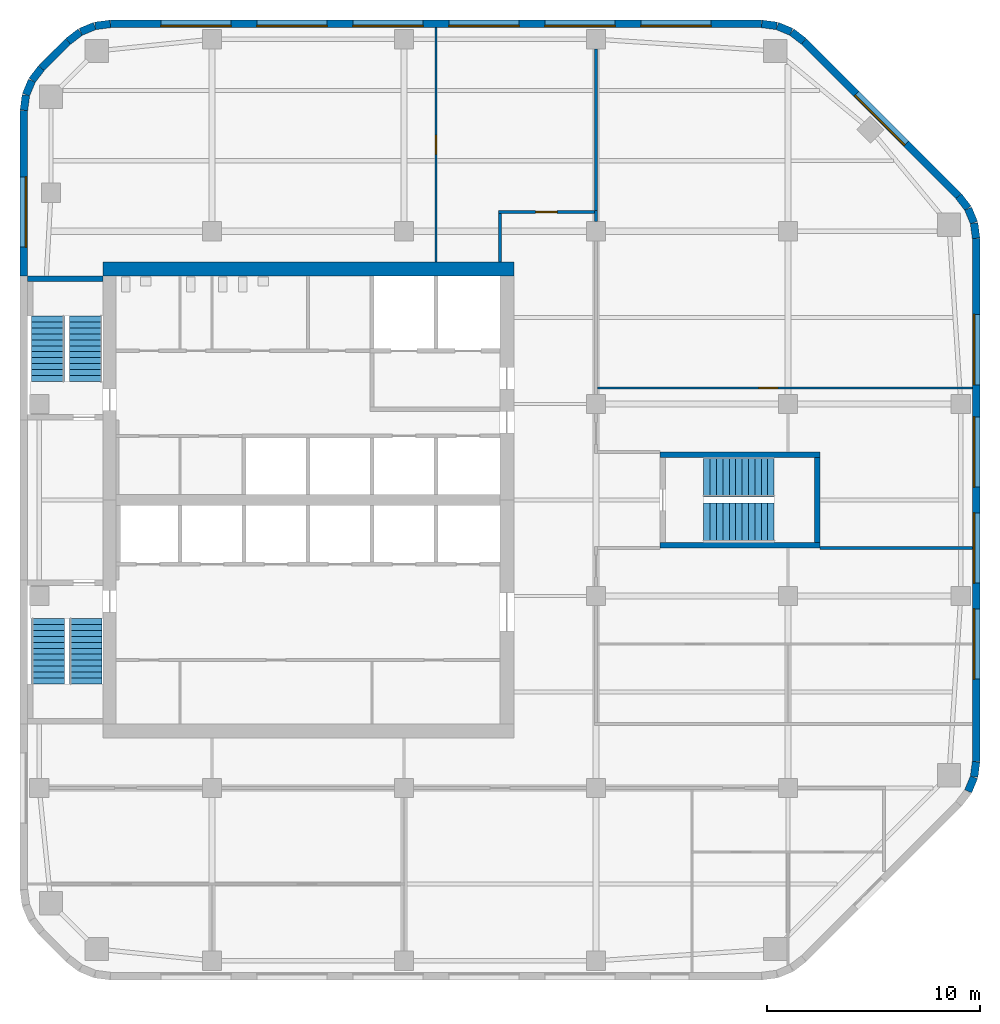
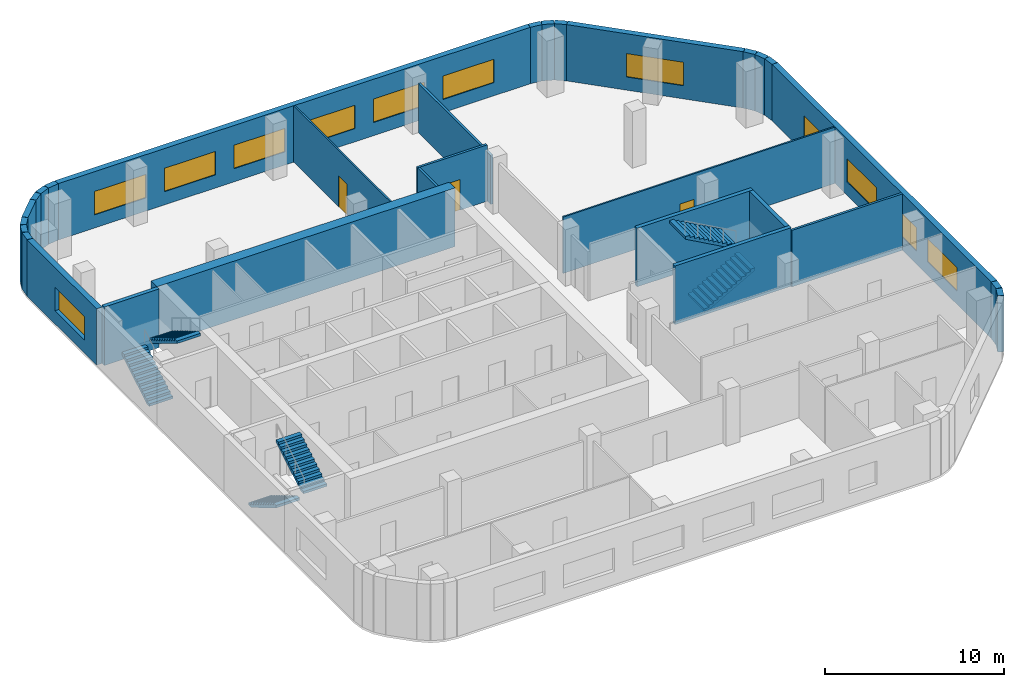
# One storey, part 5 of 7: 31 walls, 12 windows, 6 stair flights, 3 doors, 15 openings, 3 elements without a shape of their own.
"""IFC4 building model written with IfcOpenShell, lengths in metres."""

from ifc_helpers import new_model, si_unit, direction, frame, frame_2d, origin, place, context, subcontext, project, spatial, polyline, rectangle, outline, extrude, material, layer, layer_set, type_object, element, fill, aggregate, save


model = new_model("IFC4")

# Units and contexts
model_context = context("Model", 3, precision=1e-05, world=origin(), true_north=direction((0.0, 1.0)))
body_context = subcontext(model_context, "Body", "Model", "MODEL_VIEW")
ifc_project = project(units=[si_unit("LENGTHUNIT", "METRE"), si_unit("AREAUNIT", "SQUARE_METRE"), si_unit("VOLUMEUNIT", "CUBIC_METRE"), si_unit("PLANEANGLEUNIT", "RADIAN"), si_unit("MASSUNIT", "GRAM", prefix="KILO")], contexts=[model_context])

# Site, building, storey
site_placement = place(None, origin())
site = spatial("IfcSite", under=ifc_project, at=site_placement, CompositionType="ELEMENT")
building_placement = place(site_placement, origin())
building = spatial("IfcBuilding", under=site, at=building_placement, Name="Cinnabar Reach Civic Tower", CompositionType="ELEMENT")
storey_placement = place(building_placement, frame((0.0, 0.0, 173.0)))
storey = spatial("IfcBuildingStorey", under=building, at=storey_placement, Name="L41", CompositionType="ELEMENT", Elevation=173.0)

# Walls
ifc_material_1 = material(Name="Facing brick with insulated backing", Category="masonry")
ifc_layer_1 = layer(ifc_material_1, 0.36)
ifc_layer_set_1 = layer_set([ifc_layer_1], Name="Brick corner wall")
wall_type_1 = type_object("IfcWallType", Name="Brick corner wall", PredefinedType="STANDARD", material=ifc_layer_set_1)
for number, where, z_axis, x_axis, name in (
    (1, (44.4452, 17.8439, 0.0), (0.0, 0.0, 1.0), (0.382702709855, 0.923871547278, 0.0), "Brick corner wall"),
    (2, (44.7239, 18.5244, 0.0), (0.0, 0.0, 1.0), (0.13055608231, 0.99144092581, 0.0), "Brick corner wall"),
    (3, (44.817, 43.7686, 0.0), (0.0, 0.0, 1.0), (-0.13055608231, 0.99144092581, 0.0), "Brick corner wall"),
    (4, (44.7181, 44.4973, 0.0), (0.0, 0.0, 1.0), (-0.382702709855, 0.923871547278, 0.0), "Brick corner wall"),
):
    element("IfcWall", number, at=place(storey_placement, frame(where, z_axis=z_axis, x_axis=x_axis)), inside=storey, type_object=wall_type_1, Name=name, PredefinedType="STANDARD", context=body_context, shape_type="SweptSolid", body=[
        extrude(rectangle(XDim=0.7131, YDim=0.36, at=frame_2d((0.3565, 0.0))), origin(), (0.0, 0.0, 1.0), 3.85),
    ])
for number, where, z_axis, x_axis, name in (
    (5, (44.434, 45.1755, 0.0), (0.0, 0.0, 1.0), (-0.608802368033, 0.793321924995, 0.0), "Brick corner wall"),
    (6, (36.7413, 52.9998, 0.0), (0.0, 0.0, 1.0), (-0.793321924995, 0.608802368033, 0.0), "Brick corner wall"),
):
    element("IfcWall", number, at=place(storey_placement, frame(where, z_axis=z_axis, x_axis=x_axis)), inside=storey, type_object=wall_type_1, Name=name, PredefinedType="STANDARD", context=body_context, shape_type="SweptSolid", body=[
        extrude(rectangle(XDim=0.7132, YDim=0.36, at=frame_2d((0.3566, 0.0))), origin(), (0.0, 0.0, 1.0), 3.85),
    ])
for number, where, z_axis, x_axis, name in (
    (7, (36.1561, 53.4452, 0.0), (0.0, 0.0, 1.0), (-0.923871547278, 0.382702709855, 0.0), "Brick corner wall"),
    (8, (35.4756, 53.7239, 0.0), (0.0, 0.0, 1.0), (-0.99144092581, 0.13055608231, 0.0), "Brick corner wall"),
    (9, (4.2314, 53.817, 0.0), (0.0, 0.0, 1.0), (-0.99144092581, -0.13055608231, 0.0), "Brick corner wall"),
    (10, (3.5027, 53.7181, 0.0), (0.0, 0.0, 1.0), (-0.923871547278, -0.382702709855, 0.0), "Brick corner wall"),
):
    element("IfcWall", number, at=place(storey_placement, frame(where, z_axis=z_axis, x_axis=x_axis)), inside=storey, type_object=wall_type_1, Name=name, PredefinedType="STANDARD", context=body_context, shape_type="SweptSolid", body=[
        extrude(rectangle(XDim=0.7131, YDim=0.36, at=frame_2d((0.3565, 0.0))), origin(), (0.0, 0.0, 1.0), 3.85),
    ])
for number, where, z_axis, x_axis, name in (
    (11, (2.8245, 53.434, 0.0), (0.0, 0.0, 1.0), (-0.793321924995, -0.608802368033, 0.0), "Brick corner wall"),
    (12, (1.0002, 51.7413, 0.0), (0.0, 0.0, 1.0), (-0.608802368033, -0.793321924995, 0.0), "Brick corner wall"),
):
    element("IfcWall", number, at=place(storey_placement, frame(where, z_axis=z_axis, x_axis=x_axis)), inside=storey, type_object=wall_type_1, Name=name, PredefinedType="STANDARD", context=body_context, shape_type="SweptSolid", body=[
        extrude(rectangle(XDim=0.7132, YDim=0.36, at=frame_2d((0.3566, 0.0))), origin(), (0.0, 0.0, 1.0), 3.85),
    ])
for number, where, z_axis, x_axis, name in (
    (13, (0.5548, 51.1561, 0.0), (0.0, 0.0, 1.0), (-0.382702709855, -0.923871547278, 0.0), "Brick corner wall"),
    (14, (0.2761, 50.4756, 0.0), (0.0, 0.0, 1.0), (-0.13055608231, -0.99144092581, 0.0), "Brick corner wall"),
):
    element("IfcWall", number, at=place(storey_placement, frame(where, z_axis=z_axis, x_axis=x_axis)), inside=storey, type_object=wall_type_1, Name=name, PredefinedType="STANDARD", context=body_context, shape_type="SweptSolid", body=[
        extrude(rectangle(XDim=0.7131, YDim=0.36, at=frame_2d((0.3565, 0.0))), origin(), (0.0, 0.0, 1.0), 3.85),
    ])

# Wall, openings, windows
ifc_layer_2 = layer(ifc_material_1, 0.36)
ifc_layer_set_2 = layer_set([ifc_layer_2], Name="Brick pier and spandrel wall")
wall_type_2 = type_object("IfcWallType", Name="Brick pier and spandrel wall", PredefinedType="STANDARD", material=ifc_layer_set_2)
wall_1_placement = place(storey_placement, frame((44.82, 19.2426, 0.0), z_axis=(0.0, 0.0, 1.0), x_axis=(0.0, 1.0, 0.0)))
wall_1 = element("IfcWall", 15, at=wall_1_placement, inside=storey, type_object=wall_type_2, Name="Brick facade wall", PredefinedType="STANDARD", context=body_context, shape_type="SweptSolid", body=[
    extrude(rectangle(XDim=24.5148, YDim=0.36, at=frame_2d((12.2574, 0.0))), origin(), (0.0, 0.0, 1.0), 3.85),
])
opening_1_placement = place(wall_1_placement, frame((3.8574, 0.0, 0.9)))
opening_1 = element("IfcOpeningElement", 16, at=opening_1_placement, cuts=wall_1, Name="Opening W1848", PredefinedType="OPENING", context=body_context, shape_type="SweptSolid", body=[
    extrude(rectangle(XDim=3.3, YDim=1.6, at=frame_2d((1.65, 0.8))), frame((0.0, 0.19, 0.0), z_axis=(0.0, -1.0, 0.0), x_axis=(1.0, 0.0, 0.0)), (0.0, 0.0, 1.0), 0.38),
])
opening_2_placement = place(wall_1_placement, frame((8.3574, 0.0, 0.9)))
opening_2 = element("IfcOpeningElement", 17, at=opening_2_placement, cuts=wall_1, Name="Opening W1849", PredefinedType="OPENING", context=body_context, shape_type="SweptSolid", body=[
    extrude(rectangle(XDim=3.3, YDim=1.6, at=frame_2d((1.65, 0.8))), frame((0.0, 0.19, 0.0), z_axis=(0.0, -1.0, 0.0), x_axis=(1.0, 0.0, 0.0)), (0.0, 0.0, 1.0), 0.38),
])
opening_3_placement = place(wall_1_placement, frame((12.8574, 0.0, 0.9)))
opening_3 = element("IfcOpeningElement", 18, at=opening_3_placement, cuts=wall_1, Name="Opening W1850", PredefinedType="OPENING", context=body_context, shape_type="SweptSolid", body=[
    extrude(rectangle(XDim=3.3, YDim=1.6, at=frame_2d((1.65, 0.8))), frame((0.0, 0.19, 0.0), z_axis=(0.0, -1.0, 0.0), x_axis=(1.0, 0.0, 0.0)), (0.0, 0.0, 1.0), 0.38),
])
opening_4_placement = place(wall_1_placement, frame((17.6574, 0.0, 0.9)))
opening_4 = element("IfcOpeningElement", 19, at=opening_4_placement, cuts=wall_1, Name="Opening W1851", PredefinedType="OPENING", context=body_context, shape_type="SweptSolid", body=[
    extrude(rectangle(XDim=3.3, YDim=1.6, at=frame_2d((1.65, 0.8))), frame((0.0, 0.19, 0.0), z_axis=(0.0, -1.0, 0.0), x_axis=(1.0, 0.0, 0.0)), (0.0, 0.0, 1.0), 0.38),
])
ifc_material_2 = material(Name="Clear double glazing in aluminium frame", Category="aluminium")
window_type = type_object("IfcWindowType", Name="Deep-set window A", PartitioningType="SINGLE_PANEL", PredefinedType="WINDOW", material=ifc_material_2)
window_1_placement = place(opening_1_placement, origin())
window_1 = element("IfcWindow", 20, at=window_1_placement, inside=storey, type_object=window_type, Name="Window east face", OverallHeight=1.6, OverallWidth=3.3, PartitioningType="SINGLE_PANEL", PredefinedType="WINDOW", context=body_context, shape_type="SweptSolid", body=[
    extrude(rectangle(XDim=3.3, YDim=1.6, at=frame_2d((1.65, 0.8))), frame((0.0, 0.13, 0.0), z_axis=(0.0, -1.0, 0.0), x_axis=(1.0, 0.0, 0.0)), (0.0, 0.0, 1.0), 0.06),
])
fill(opening_1, window_1)
window_2_placement = place(opening_2_placement, origin())
window_2 = element("IfcWindow", 21, at=window_2_placement, inside=storey, type_object=window_type, Name="Window east face", OverallHeight=1.6, OverallWidth=3.3, PartitioningType="SINGLE_PANEL", PredefinedType="WINDOW", context=body_context, shape_type="SweptSolid", body=[
    extrude(rectangle(XDim=3.3, YDim=1.6, at=frame_2d((1.65, 0.8))), frame((0.0, 0.13, 0.0), z_axis=(0.0, -1.0, 0.0), x_axis=(1.0, 0.0, 0.0)), (0.0, 0.0, 1.0), 0.06),
])
fill(opening_2, window_2)
window_3_placement = place(opening_3_placement, origin())
window_3 = element("IfcWindow", 22, at=window_3_placement, inside=storey, type_object=window_type, Name="Window east face", OverallHeight=1.6, OverallWidth=3.3, PartitioningType="SINGLE_PANEL", PredefinedType="WINDOW", context=body_context, shape_type="SweptSolid", body=[
    extrude(rectangle(XDim=3.3, YDim=1.6, at=frame_2d((1.65, 0.8))), frame((0.0, 0.13, 0.0), z_axis=(0.0, -1.0, 0.0), x_axis=(1.0, 0.0, 0.0)), (0.0, 0.0, 1.0), 0.06),
])
fill(opening_3, window_3)
window_4_placement = place(opening_4_placement, origin())
window_4 = element("IfcWindow", 23, at=window_4_placement, inside=storey, type_object=window_type, Name="Window east face", OverallHeight=1.6, OverallWidth=3.3, PartitioningType="SINGLE_PANEL", PredefinedType="WINDOW", context=body_context, shape_type="SweptSolid", body=[
    extrude(rectangle(XDim=3.3, YDim=1.6, at=frame_2d((1.65, 0.8))), frame((0.0, 0.13, 0.0), z_axis=(0.0, -1.0, 0.0), x_axis=(1.0, 0.0, 0.0)), (0.0, 0.0, 1.0), 0.06),
])
fill(opening_4, window_4)

# Wall, opening, window
wall_2_placement = place(storey_placement, frame((43.994, 45.7514, 0.0), z_axis=(0.0, 0.0, 1.0), x_axis=(-0.707106781187, 0.707106781187, 0.0)))
wall_2 = element("IfcWall", 24, at=wall_2_placement, inside=storey, type_object=wall_type_2, Name="Brick facade wall", PredefinedType="STANDARD", context=body_context, shape_type="SweptSolid", body=[
    extrude(rectangle(XDim=10.2426, YDim=0.36, at=frame_2d((5.1213, 0.0))), origin(), (0.0, 0.0, 1.0), 3.85),
])
opening_5_placement = place(wall_2_placement, frame((3.4713, 0.0, 0.9)))
opening_5 = element("IfcOpeningElement", 25, at=opening_5_placement, cuts=wall_2, Name="Opening W1852", PredefinedType="OPENING", context=body_context, shape_type="SweptSolid", body=[
    extrude(rectangle(XDim=3.3, YDim=1.6, at=frame_2d((1.65, 0.8))), frame((0.0, 0.19, 0.0), z_axis=(0.0, -1.0, 0.0), x_axis=(1.0, 0.0, 0.0)), (0.0, 0.0, 1.0), 0.38),
])
window_5_placement = place(opening_5_placement, origin())
window_5 = element("IfcWindow", 26, at=window_5_placement, inside=storey, type_object=window_type, Name="Window northeast face", OverallHeight=1.6, OverallWidth=3.3, PartitioningType="SINGLE_PANEL", PredefinedType="WINDOW", context=body_context, shape_type="SweptSolid", body=[
    extrude(rectangle(XDim=3.3, YDim=1.6, at=frame_2d((1.65, 0.8))), frame((0.0, 0.13, 0.0), z_axis=(0.0, -1.0, 0.0), x_axis=(1.0, 0.0, 0.0)), (0.0, 0.0, 1.0), 0.06),
])
fill(opening_5, window_5)

# Wall, openings, windows
wall_3_placement = place(storey_placement, frame((34.7574, 53.82, 0.0), z_axis=(0.0, 0.0, 1.0), x_axis=(-1.0, 0.0, 0.0)))
wall_3 = element("IfcWall", 27, at=wall_3_placement, inside=storey, type_object=wall_type_2, Name="Brick facade wall", PredefinedType="STANDARD", context=body_context, shape_type="SweptSolid", body=[
    extrude(rectangle(XDim=30.5148, YDim=0.36, at=frame_2d((15.2574, 0.0))), origin(), (0.0, 0.0, 1.0), 3.85),
])
opening_6_placement = place(wall_3_placement, frame((2.3574, 0.0, 0.9)))
opening_6 = element("IfcOpeningElement", 28, at=opening_6_placement, cuts=wall_3, Name="Opening W1853", PredefinedType="OPENING", context=body_context, shape_type="SweptSolid", body=[
    extrude(rectangle(XDim=3.3, YDim=1.6, at=frame_2d((1.65, 0.8))), frame((0.0, 0.19, 0.0), z_axis=(0.0, -1.0, 0.0), x_axis=(1.0, 0.0, 0.0)), (0.0, 0.0, 1.0), 0.38),
])
opening_7_placement = place(wall_3_placement, frame((6.8574, 0.0, 0.9)))
opening_7 = element("IfcOpeningElement", 29, at=opening_7_placement, cuts=wall_3, Name="Opening W1854", PredefinedType="OPENING", context=body_context, shape_type="SweptSolid", body=[
    extrude(rectangle(XDim=3.3, YDim=1.6, at=frame_2d((1.65, 0.8))), frame((0.0, 0.19, 0.0), z_axis=(0.0, -1.0, 0.0), x_axis=(1.0, 0.0, 0.0)), (0.0, 0.0, 1.0), 0.38),
])
opening_8_placement = place(wall_3_placement, frame((11.3574, 0.0, 0.9)))
opening_8 = element("IfcOpeningElement", 30, at=opening_8_placement, cuts=wall_3, Name="Opening W1855", PredefinedType="OPENING", context=body_context, shape_type="SweptSolid", body=[
    extrude(rectangle(XDim=3.3, YDim=1.6, at=frame_2d((1.65, 0.8))), frame((0.0, 0.19, 0.0), z_axis=(0.0, -1.0, 0.0), x_axis=(1.0, 0.0, 0.0)), (0.0, 0.0, 1.0), 0.38),
])
opening_9_placement = place(wall_3_placement, frame((15.8574, 0.0, 0.9)))
opening_9 = element("IfcOpeningElement", 31, at=opening_9_placement, cuts=wall_3, Name="Opening W1856", PredefinedType="OPENING", context=body_context, shape_type="SweptSolid", body=[
    extrude(rectangle(XDim=3.3, YDim=1.6, at=frame_2d((1.65, 0.8))), frame((0.0, 0.19, 0.0), z_axis=(0.0, -1.0, 0.0), x_axis=(1.0, 0.0, 0.0)), (0.0, 0.0, 1.0), 0.38),
])
opening_10_placement = place(wall_3_placement, frame((20.3574, 0.0, 0.9)))
opening_10 = element("IfcOpeningElement", 32, at=opening_10_placement, cuts=wall_3, Name="Opening W1857", PredefinedType="OPENING", context=body_context, shape_type="SweptSolid", body=[
    extrude(rectangle(XDim=3.3, YDim=1.6, at=frame_2d((1.65, 0.8))), frame((0.0, 0.19, 0.0), z_axis=(0.0, -1.0, 0.0), x_axis=(1.0, 0.0, 0.0)), (0.0, 0.0, 1.0), 0.38),
])
opening_11_placement = place(wall_3_placement, frame((24.8574, 0.0, 0.9)))
opening_11 = element("IfcOpeningElement", 33, at=opening_11_placement, cuts=wall_3, Name="Opening W1858", PredefinedType="OPENING", context=body_context, shape_type="SweptSolid", body=[
    extrude(rectangle(XDim=3.3, YDim=1.6, at=frame_2d((1.65, 0.8))), frame((0.0, 0.19, 0.0), z_axis=(0.0, -1.0, 0.0), x_axis=(1.0, 0.0, 0.0)), (0.0, 0.0, 1.0), 0.38),
])
window_6_placement = place(opening_6_placement, origin())
window_6 = element("IfcWindow", 34, at=window_6_placement, inside=storey, type_object=window_type, Name="Window north face", OverallHeight=1.6, OverallWidth=3.3, PartitioningType="SINGLE_PANEL", PredefinedType="WINDOW", context=body_context, shape_type="SweptSolid", body=[
    extrude(rectangle(XDim=3.3, YDim=1.6, at=frame_2d((1.65, 0.8))), frame((0.0, 0.13, 0.0), z_axis=(0.0, -1.0, 0.0), x_axis=(1.0, 0.0, 0.0)), (0.0, 0.0, 1.0), 0.06),
])
fill(opening_6, window_6)
window_7_placement = place(opening_7_placement, origin())
window_7 = element("IfcWindow", 35, at=window_7_placement, inside=storey, type_object=window_type, Name="Window north face", OverallHeight=1.6, OverallWidth=3.3, PartitioningType="SINGLE_PANEL", PredefinedType="WINDOW", context=body_context, shape_type="SweptSolid", body=[
    extrude(rectangle(XDim=3.3, YDim=1.6, at=frame_2d((1.65, 0.8))), frame((0.0, 0.13, 0.0), z_axis=(0.0, -1.0, 0.0), x_axis=(1.0, 0.0, 0.0)), (0.0, 0.0, 1.0), 0.06),
])
fill(opening_7, window_7)
window_8_placement = place(opening_8_placement, origin())
window_8 = element("IfcWindow", 36, at=window_8_placement, inside=storey, type_object=window_type, Name="Window north face", OverallHeight=1.6, OverallWidth=3.3, PartitioningType="SINGLE_PANEL", PredefinedType="WINDOW", context=body_context, shape_type="SweptSolid", body=[
    extrude(rectangle(XDim=3.3, YDim=1.6, at=frame_2d((1.65, 0.8))), frame((0.0, 0.13, 0.0), z_axis=(0.0, -1.0, 0.0), x_axis=(1.0, 0.0, 0.0)), (0.0, 0.0, 1.0), 0.06),
])
fill(opening_8, window_8)
window_9_placement = place(opening_9_placement, origin())
window_9 = element("IfcWindow", 37, at=window_9_placement, inside=storey, type_object=window_type, Name="Window north face", OverallHeight=1.6, OverallWidth=3.3, PartitioningType="SINGLE_PANEL", PredefinedType="WINDOW", context=body_context, shape_type="SweptSolid", body=[
    extrude(rectangle(XDim=3.3, YDim=1.6, at=frame_2d((1.65, 0.8))), frame((0.0, 0.13, 0.0), z_axis=(0.0, -1.0, 0.0), x_axis=(1.0, 0.0, 0.0)), (0.0, 0.0, 1.0), 0.06),
])
fill(opening_9, window_9)
window_10_placement = place(opening_10_placement, origin())
window_10 = element("IfcWindow", 38, at=window_10_placement, inside=storey, type_object=window_type, Name="Window north face", OverallHeight=1.6, OverallWidth=3.3, PartitioningType="SINGLE_PANEL", PredefinedType="WINDOW", context=body_context, shape_type="SweptSolid", body=[
    extrude(rectangle(XDim=3.3, YDim=1.6, at=frame_2d((1.65, 0.8))), frame((0.0, 0.13, 0.0), z_axis=(0.0, -1.0, 0.0), x_axis=(1.0, 0.0, 0.0)), (0.0, 0.0, 1.0), 0.06),
])
fill(opening_10, window_10)
window_11_placement = place(opening_11_placement, origin())
window_11 = element("IfcWindow", 39, at=window_11_placement, inside=storey, type_object=window_type, Name="Window north face", OverallHeight=1.6, OverallWidth=3.3, PartitioningType="SINGLE_PANEL", PredefinedType="WINDOW", context=body_context, shape_type="SweptSolid", body=[
    extrude(rectangle(XDim=3.3, YDim=1.6, at=frame_2d((1.65, 0.8))), frame((0.0, 0.13, 0.0), z_axis=(0.0, -1.0, 0.0), x_axis=(1.0, 0.0, 0.0)), (0.0, 0.0, 1.0), 0.06),
])
fill(opening_11, window_11)

# Wall
wall_4_placement = place(storey_placement, frame((2.2486, 52.994, 0.0), z_axis=(0.0, 0.0, 1.0), x_axis=(-0.707106781187, -0.707106781187, 0.0)))
element("IfcWall", 40, at=wall_4_placement, inside=storey, type_object=wall_type_2, Name="Brick facade wall", PredefinedType="STANDARD", context=body_context, shape_type="SweptSolid", body=[
    extrude(rectangle(XDim=1.7573, YDim=0.36, at=frame_2d((0.8787, 0.0))), origin(), (0.0, 0.0, 1.0), 3.85),
])

# Wall, opening, window
wall_5_placement = place(storey_placement, frame((0.18, 49.7574, 0.0), z_axis=(0.0, 0.0, 1.0), x_axis=(0.0, -1.0, 0.0)))
wall_5 = element("IfcWall", 41, at=wall_5_placement, inside=storey, type_object=wall_type_2, Name="Brick facade wall", PredefinedType="STANDARD", context=body_context, shape_type="SweptSolid", body=[
    extrude(rectangle(XDim=7.7574, YDim=0.36, at=frame_2d((3.8787, 0.0))), origin(), (0.0, 0.0, 1.0), 3.85),
])
opening_12_placement = place(wall_5_placement, frame((3.1074, 0.0, 0.9)))
opening_12 = element("IfcOpeningElement", 42, at=opening_12_placement, cuts=wall_5, Name="Opening W1859", PredefinedType="OPENING", context=body_context, shape_type="SweptSolid", body=[
    extrude(rectangle(XDim=3.3, YDim=1.6, at=frame_2d((1.65, 0.8))), frame((0.0, 0.19, 0.0), z_axis=(0.0, -1.0, 0.0), x_axis=(1.0, 0.0, 0.0)), (0.0, 0.0, 1.0), 0.38),
])
window_12_placement = place(opening_12_placement, origin())
window_12 = element("IfcWindow", 43, at=window_12_placement, inside=storey, type_object=window_type, Name="Window west face", OverallHeight=1.6, OverallWidth=3.3, PartitioningType="SINGLE_PANEL", PredefinedType="WINDOW", context=body_context, shape_type="SweptSolid", body=[
    extrude(rectangle(XDim=3.3, YDim=1.6, at=frame_2d((1.65, 0.8))), frame((0.0, 0.13, 0.0), z_axis=(0.0, -1.0, 0.0), x_axis=(1.0, 0.0, 0.0)), (0.0, 0.0, 1.0), 0.06),
])
fill(opening_12, window_12)

# Walls
ifc_material_3 = material(Name="Concrete C70", Category="concrete")
ifc_layer_3 = layer(ifc_material_3, 0.65)
ifc_layer_set_3 = layer_set([ifc_layer_3], Name="Core wall 650 EI 180")
wall_type_3 = type_object("IfcWallType", Name="Core wall 650 EI 180", PredefinedType="SOLIDWALL", material=ifc_layer_set_3)
wall_6_placement = place(storey_placement, frame((23.15, 42.325, 0.0), z_axis=(0.0, 0.0, 1.0), x_axis=(-1.0, 0.0, 0.0)))
element("IfcWall", 44, at=wall_6_placement, inside=storey, type_object=wall_type_3, Name="Core wall T1 L41 N", PredefinedType="SOLIDWALL", context=body_context, shape_type="SweptSolid", body=[
    extrude(rectangle(XDim=19.25, YDim=0.65, at=frame_2d((9.625, 0.0))), origin(), (0.0, 0.0, 1.0), 4.0),
])
ifc_material_4 = material(Name="Gypsum board on steel studs, double layer", Category="steel")
ifc_layer_4 = layer(ifc_material_4, 0.15)
ifc_layer_set_4 = layer_set([ifc_layer_4], Name="Corridor wall 150 T1")
wall_type_4 = type_object("IfcWallType", Name="Corridor wall 150 T1", PredefinedType="PARTITIONING", material=ifc_layer_set_4)
wall_7_placement = place(storey_placement, frame((27.0, 44.55, 0.0), z_axis=(0.0, 0.0, 1.0), x_axis=(0.0, 1.0, 0.0)))
element("IfcWall", 45, at=wall_7_placement, inside=storey, type_object=wall_type_4, Name="Corridor wall 28", PredefinedType="PARTITIONING", context=body_context, shape_type="SweptSolid", body=[
    extrude(rectangle(XDim=0.525, YDim=0.15, at=frame_2d((0.2625, 0.0))), origin(), (0.0, 0.0, 1.0), 3.362),
])

# Wall, opening, door
wall_8_placement = place(storey_placement, frame((22.425, 45.0, 0.0), z_axis=(0.0, 0.0, 1.0), x_axis=(1.0, 0.0, 0.0)))
wall_8 = element("IfcWall", 46, at=wall_8_placement, inside=storey, type_object=wall_type_4, Name="Corridor wall 32", PredefinedType="PARTITIONING", context=body_context, shape_type="SweptSolid", body=[
    extrude(rectangle(XDim=4.5, YDim=0.15, at=frame_2d((2.25, 0.0))), origin(), (0.0, 0.0, 1.0), 3.85),
])
opening_13_placement = place(wall_8_placement, frame((1.75, 0.0, 0.0)))
opening_13 = element("IfcOpeningElement", 47, at=opening_13_placement, cuts=wall_8, Name="Opening D4706", PredefinedType="OPENING", context=body_context, shape_type="SweptSolid", body=[
    extrude(rectangle(XDim=1.0, YDim=2.1, at=frame_2d((0.5, 1.05))), frame((0.0, 0.085, 0.0), z_axis=(0.0, -1.0, 0.0), x_axis=(1.0, 0.0, 0.0)), (0.0, 0.0, 1.0), 0.17),
])
ifc_material_5 = material(Name="Timber door leaf in steel frame", Category="steel")
door_type_1 = type_object("IfcDoorType", Name="Tenancy entrance door 1000 x 2100 T1", OperationType="SINGLE_SWING_LEFT", PredefinedType="DOOR", material=ifc_material_5)
door_1_placement = place(opening_13_placement, frame((1.0, 0.0, 0.0), z_axis=(0.0, 0.0, 1.0), x_axis=(-1.0, 0.0, 0.0)))
door_1 = element("IfcDoor", 48, at=door_1_placement, inside=storey, type_object=door_type_1, Name="Door D4706", OperationType="SINGLE_SWING_RIGHT", OverallHeight=2.1, OverallWidth=1.0, PredefinedType="DOOR", context=body_context, shape_type="SweptSolid", body=[
    extrude(rectangle(XDim=1.0, YDim=2.1, at=frame_2d((0.5, 1.05))), frame((0.0, 0.025, 0.0), z_axis=(0.0, -1.0, 0.0), x_axis=(1.0, 0.0, 0.0)), (0.0, 0.0, 1.0), 0.05),
])
fill(opening_13, door_1)

# Wall
wall_9_placement = place(storey_placement, frame((22.5, 42.65, 0.0), z_axis=(0.0, 0.0, 1.0), x_axis=(0.0, 1.0, 0.0)))
element("IfcWall", 49, at=wall_9_placement, inside=storey, type_object=wall_type_4, Name="Corridor wall 38", PredefinedType="PARTITIONING", context=body_context, shape_type="SweptSolid", body=[
    extrude(rectangle(XDim=2.275, YDim=0.15, at=frame_2d((1.1375, 0.0))), origin(), (0.0, 0.0, 1.0), 3.85),
])

# Wall, opening, door
ifc_material_6 = material(Name="Gypsum board on steel studs", Category="steel")
ifc_layer_5 = layer(ifc_material_6, 0.1)
ifc_layer_set_5 = layer_set([ifc_layer_5], Name="Partition wall 100 T1")
wall_type_5 = type_object("IfcWallType", Name="Partition wall 100 T1", PredefinedType="PARTITIONING", material=ifc_layer_set_5)
wall_10_placement = place(storey_placement, frame((27.075, 36.75, 0.0), z_axis=(0.0, 0.0, 1.0), x_axis=(1.0, 0.0, 0.0)))
wall_10 = element("IfcWall", 50, at=wall_10_placement, inside=storey, type_object=wall_type_5, Name="Partition wall 45", PredefinedType="PARTITIONING", context=body_context, shape_type="SweptSolid", body=[
    extrude(rectangle(XDim=17.565, YDim=0.1, at=frame_2d((8.7825, 0.0))), origin(), (0.0, 0.0, 1.0), 3.85),
])
opening_14_placement = place(wall_10_placement, frame((7.55, 0.0, 0.0)))
opening_14 = element("IfcOpeningElement", 51, at=opening_14_placement, cuts=wall_10, Name="Opening D4695", PredefinedType="OPENING", context=body_context, shape_type="SweptSolid", body=[
    extrude(rectangle(XDim=0.9, YDim=2.1, at=frame_2d((0.45, 1.05))), frame((0.0, 0.06, 0.0), z_axis=(0.0, -1.0, 0.0), x_axis=(1.0, 0.0, 0.0)), (0.0, 0.0, 1.0), 0.12),
])
door_type_2 = type_object("IfcDoorType", Name="Single swing door 900 x 2100 T1", OperationType="SINGLE_SWING_LEFT", PredefinedType="DOOR", material=ifc_material_5)
door_2_placement = place(opening_14_placement, frame((0.9, 0.0, 0.0), z_axis=(0.0, 0.0, 1.0), x_axis=(-1.0, 0.0, 0.0)))
door_2 = element("IfcDoor", 52, at=door_2_placement, inside=storey, type_object=door_type_2, Name="Door D4695", OperationType="SINGLE_SWING_LEFT", OverallHeight=2.1, OverallWidth=0.9, PredefinedType="DOOR", context=body_context, shape_type="SweptSolid", body=[
    extrude(rectangle(XDim=0.9, YDim=2.1, at=frame_2d((0.45, 1.05))), frame((0.0, 0.025, 0.0), z_axis=(0.0, -1.0, 0.0), x_axis=(1.0, 0.0, 0.0)), (0.0, 0.0, 1.0), 0.05),
])
fill(opening_14, door_2)

wall_11_placement = place(storey_placement, frame((19.5, 42.65, 0.0), z_axis=(0.0, 0.0, 1.0), x_axis=(0.0, 1.0, 0.0)))
wall_11 = element("IfcWall", 53, at=wall_11_placement, inside=storey, type_object=wall_type_5, Name="Partition wall 46", PredefinedType="PARTITIONING", context=body_context, shape_type="SweptSolid", body=[
    extrude(rectangle(XDim=10.99, YDim=0.1, at=frame_2d((5.495, 0.0))), origin(), (0.0, 0.0, 1.0), 3.85),
])
opening_15_placement = place(wall_11_placement, frame((5.05, 0.0, 0.0)))
opening_15 = element("IfcOpeningElement", 54, at=opening_15_placement, cuts=wall_11, Name="Opening D4707", PredefinedType="OPENING", context=body_context, shape_type="SweptSolid", body=[
    extrude(rectangle(XDim=0.9, YDim=2.1, at=frame_2d((0.45, 1.05))), frame((0.0, 0.06, 0.0), z_axis=(0.0, -1.0, 0.0), x_axis=(1.0, 0.0, 0.0)), (0.0, 0.0, 1.0), 0.12),
])
door_3_placement = place(opening_15_placement, origin())
door_3 = element("IfcDoor", 55, at=door_3_placement, inside=storey, type_object=door_type_2, Name="Door D4707", OperationType="SINGLE_SWING_RIGHT", OverallHeight=2.1, OverallWidth=0.9, PredefinedType="DOOR", context=body_context, shape_type="SweptSolid", body=[
    extrude(rectangle(XDim=0.9, YDim=2.1, at=frame_2d((0.45, 1.05))), frame((0.0, 0.025, 0.0), z_axis=(0.0, -1.0, 0.0), x_axis=(1.0, 0.0, 0.0)), (0.0, 0.0, 1.0), 0.05),
])
fill(opening_15, door_3)

# Walls
ifc_material_7 = material(Name="Concrete C60", Category="concrete")
ifc_layer_6 = layer(ifc_material_7, 0.25)
ifc_layer_set_6 = layer_set([ifc_layer_6], Name="Stair shaft wall 250 EI 120")
wall_type_6 = type_object("IfcWallType", Name="Stair shaft wall 250 EI 120", PredefinedType="SOLIDWALL", material=ifc_layer_set_6)
wall_12_placement = place(storey_placement, frame((3.9, 41.875, 0.0), z_axis=(0.0, 0.0, 1.0), x_axis=(-1.0, 0.0, 0.0)))
element("IfcWall", 56, at=wall_12_placement, inside=storey, type_object=wall_type_6, Name="Stair shaft wall T1-S2 L41", PredefinedType="SOLIDWALL", context=body_context, shape_type="SweptSolid", body=[
    extrude(rectangle(XDim=3.54, YDim=0.25, at=frame_2d((1.77, 0.0))), origin(), (0.0, 0.0, 1.0), 4.0),
])
for number, where, z_axis, x_axis, name in (
    (57, (30.0, 29.375, 0.0), (0.0, 0.0, 1.0), (1.0, 0.0, 0.0), "Stair shaft wall T1-S3 L41"),
    (58, (37.5, 33.625, 0.0), (0.0, 0.0, 1.0), (-1.0, 0.0, 0.0), "Stair shaft wall T1-S3 L41"),
):
    element("IfcWall", number, at=place(storey_placement, frame(where, z_axis=z_axis, x_axis=x_axis)), inside=storey, type_object=wall_type_6, Name=name, PredefinedType="SOLIDWALL", context=body_context, shape_type="SweptSolid", body=[
        extrude(rectangle(XDim=7.5, YDim=0.25, at=frame_2d((3.75, 0.0))), origin(), (0.0, 0.0, 1.0), 4.0),
    ])
wall_13_placement = place(storey_placement, frame((37.375, 29.5, 0.0), z_axis=(0.0, 0.0, 1.0), x_axis=(0.0, 1.0, 0.0)))
element("IfcWall", 59, at=wall_13_placement, inside=storey, type_object=wall_type_6, Name="Stair shaft wall T1-S3 L41", PredefinedType="SOLIDWALL", context=body_context, shape_type="SweptSolid", body=[
    extrude(rectangle(XDim=4.0, YDim=0.25, at=frame_2d((2.0, 0.0))), origin(), (0.0, 0.0, 1.0), 4.0),
])
ifc_layer_7 = layer(ifc_material_4, 0.15)
ifc_layer_set_7 = layer_set([ifc_layer_7], Name="Tenancy separating wall 150 T1")
wall_type_7 = type_object("IfcWallType", Name="Tenancy separating wall 150 T1", PredefinedType="PARTITIONING", material=ifc_layer_set_7)
wall_14_placement = place(storey_placement, frame((27.0, 45.075, 0.0), z_axis=(0.0, 0.0, 1.0), x_axis=(0.0, 1.0, 0.0)))
element("IfcWall", 60, at=wall_14_placement, inside=storey, type_object=wall_type_7, Name="Tenancy separating wall 41", PredefinedType="PARTITIONING", context=body_context, shape_type="SweptSolid", body=[
    extrude(rectangle(XDim=7.575, YDim=0.15, at=frame_2d((3.7875, 0.0))), origin(), (0.0, 0.0, 1.0), 3.362),
])
wall_15_placement = place(storey_placement, frame((37.5, 29.25, 0.0), z_axis=(0.0, 0.0, 1.0), x_axis=(1.0, 0.0, 0.0)))
element("IfcWall", 61, at=wall_15_placement, inside=storey, type_object=wall_type_7, Name="Tenancy separating wall 42", PredefinedType="PARTITIONING", context=body_context, shape_type="SweptSolid", body=[
    extrude(rectangle(XDim=7.14, YDim=0.15, at=frame_2d((3.57, 0.0))), origin(), (0.0, 0.0, 1.0), 3.85),
])

# Stair, stair flights
ifc_material_8 = material(Name="Concrete C40/50", Category="concrete")
stair_type = type_object("IfcStairType", Name="T1 Exit stair, half-turn", PredefinedType="HALF_TURN_STAIR", material=ifc_material_8)
stair_1_placement = place(storey_placement, origin())
stair_1 = element("IfcStair", 62, at=stair_1_placement, inside=storey, type_object=stair_type, Name="Stair T1-S1", PredefinedType="HALF_TURN_STAIR")
stair_flight_type = type_object("IfcStairFlightType", Name="T1 Stair flight, concrete", PredefinedType="STRAIGHT", material=ifc_material_8)
stair_flight_1_placement = place(storey_placement, frame((1.3125, 25.95, 0.0), z_axis=(0.0, 0.0, 1.0), x_axis=(0.0, -1.0, 0.0)))
stair_flight_1 = element("IfcStairFlight", 63, at=stair_flight_1_placement, type_object=stair_flight_type, Name="T1-S1 flight 1", NumberOfRisers=12, NumberOfTreads=11, PredefinedType="STRAIGHT", RiserHeight=0.166666667, TreadLength=0.28, context=body_context, shape_type="SweptSolid", body=[
    extrude(outline(polyline([(0.0, 0.0), (0.0, 0.1667), (0.28, 0.1667), (0.28, 0.3333), (0.56, 0.3333), (0.56, 0.5), (0.84, 0.5), (0.84, 0.6667), (1.12, 0.6667), (1.12, 0.8333), (1.4, 0.8333), (1.4, 1.0), (1.68, 1.0), (1.68, 1.1667), (1.96, 1.1667), (1.96, 1.3333), (2.24, 1.3333), (2.24, 1.5), (2.52, 1.5), (2.52, 1.6667), (2.8, 1.6667), (2.8, 1.8333), (3.08, 1.8333), (3.08, 2.0), (3.08, 1.6588), (0.2933, 0.0), (0.0, 0.0)])), frame((0.0, 0.7625, 0.0), z_axis=(0.0, -1.0, 0.0), x_axis=(1.0, 0.0, 0.0)), (0.0, 0.0, 1.0), 1.525),
])
stair_flight_2_placement = place(storey_placement, frame((3.0875, 22.87, 2.0), z_axis=(0.0, 0.0, 1.0), x_axis=(0.0, 1.0, 0.0)))
stair_flight_2 = element("IfcStairFlight", 64, at=stair_flight_2_placement, type_object=stair_flight_type, Name="T1-S1 flight 2", NumberOfRisers=12, NumberOfTreads=11, PredefinedType="STRAIGHT", RiserHeight=0.166666667, TreadLength=0.28, context=body_context, shape_type="SweptSolid", body=[
    extrude(outline(polyline([(0.0, 0.0), (0.0, 0.1667), (0.28, 0.1667), (0.28, 0.3333), (0.56, 0.3333), (0.56, 0.5), (0.84, 0.5), (0.84, 0.6667), (1.12, 0.6667), (1.12, 0.8333), (1.4, 0.8333), (1.4, 1.0), (1.68, 1.0), (1.68, 1.1667), (1.96, 1.1667), (1.96, 1.3333), (2.24, 1.3333), (2.24, 1.5), (2.52, 1.5), (2.52, 1.6667), (2.8, 1.6667), (2.8, 1.8333), (3.08, 1.8333), (3.08, 2.0), (3.08, 1.6588), (0.2933, 0.0), (0.0, 0.0)])), frame((0.0, 0.7625, 0.0), z_axis=(0.0, -1.0, 0.0), x_axis=(1.0, 0.0, 0.0)), (0.0, 0.0, 1.0), 1.525),
])
aggregate(stair_1, [stair_flight_1, stair_flight_2])

stair_2_placement = place(storey_placement, origin())
stair_2 = element("IfcStair", 65, at=stair_2_placement, inside=storey, type_object=stair_type, Name="Stair T1-S2", PredefinedType="HALF_TURN_STAIR")
stair_flight_3_placement = place(storey_placement, frame((1.3125, 37.05, 0.0), z_axis=(0.0, 0.0, 1.0), x_axis=(0.0, 1.0, 0.0)))
stair_flight_3 = element("IfcStairFlight", 66, at=stair_flight_3_placement, type_object=stair_flight_type, Name="T1-S2 flight 1", NumberOfRisers=12, NumberOfTreads=11, PredefinedType="STRAIGHT", RiserHeight=0.166666667, TreadLength=0.28, context=body_context, shape_type="SweptSolid", body=[
    extrude(outline(polyline([(0.0, 0.0), (0.0, 0.1667), (0.28, 0.1667), (0.28, 0.3333), (0.56, 0.3333), (0.56, 0.5), (0.84, 0.5), (0.84, 0.6667), (1.12, 0.6667), (1.12, 0.8333), (1.4, 0.8333), (1.4, 1.0), (1.68, 1.0), (1.68, 1.1667), (1.96, 1.1667), (1.96, 1.3333), (2.24, 1.3333), (2.24, 1.5), (2.52, 1.5), (2.52, 1.6667), (2.8, 1.6667), (2.8, 1.8333), (3.08, 1.8333), (3.08, 2.0), (3.08, 1.6588), (0.2933, 0.0), (0.0, 0.0)])), frame((0.0, 0.7625, 0.0), z_axis=(0.0, -1.0, 0.0), x_axis=(1.0, 0.0, 0.0)), (0.0, 0.0, 1.0), 1.525),
])
stair_flight_4_placement = place(storey_placement, frame((3.0875, 40.13, 2.0), z_axis=(0.0, 0.0, 1.0), x_axis=(0.0, -1.0, 0.0)))
stair_flight_4 = element("IfcStairFlight", 67, at=stair_flight_4_placement, type_object=stair_flight_type, Name="T1-S2 flight 2", NumberOfRisers=12, NumberOfTreads=11, PredefinedType="STRAIGHT", RiserHeight=0.166666667, TreadLength=0.28, context=body_context, shape_type="SweptSolid", body=[
    extrude(outline(polyline([(0.0, 0.0), (0.0, 0.1667), (0.28, 0.1667), (0.28, 0.3333), (0.56, 0.3333), (0.56, 0.5), (0.84, 0.5), (0.84, 0.6667), (1.12, 0.6667), (1.12, 0.8333), (1.4, 0.8333), (1.4, 1.0), (1.68, 1.0), (1.68, 1.1667), (1.96, 1.1667), (1.96, 1.3333), (2.24, 1.3333), (2.24, 1.5), (2.52, 1.5), (2.52, 1.6667), (2.8, 1.6667), (2.8, 1.8333), (3.08, 1.8333), (3.08, 2.0), (3.08, 1.6588), (0.2933, 0.0), (0.0, 0.0)])), frame((0.0, 0.7625, 0.0), z_axis=(0.0, -1.0, 0.0), x_axis=(1.0, 0.0, 0.0)), (0.0, 0.0, 1.0), 1.525),
])
aggregate(stair_2, [stair_flight_3, stair_flight_4])

stair_3_placement = place(storey_placement, origin())
stair_3 = element("IfcStair", 68, at=stair_3_placement, inside=storey, type_object=stair_type, Name="Stair T1-S3", PredefinedType="HALF_TURN_STAIR")
stair_flight_5_placement = place(storey_placement, frame((32.05, 30.45, 0.0), z_axis=(0.0, 0.0, 1.0), x_axis=(1.0, 0.0, 0.0)))
stair_flight_5 = element("IfcStairFlight", 69, at=stair_flight_5_placement, type_object=stair_flight_type, Name="T1-S3 flight 1", NumberOfRisers=12, NumberOfTreads=11, PredefinedType="STRAIGHT", RiserHeight=0.166666667, TreadLength=0.3, context=body_context, shape_type="SweptSolid", body=[
    extrude(outline(polyline([(0.0, 0.0), (0.0, 0.1667), (0.3, 0.1667), (0.3, 0.3333), (0.6, 0.3333), (0.6, 0.5), (0.9, 0.5), (0.9, 0.6667), (1.2, 0.6667), (1.2, 0.8333), (1.5, 0.8333), (1.5, 1.0), (1.8, 1.0), (1.8, 1.1667), (2.1, 1.1667), (2.1, 1.3333), (2.4, 1.3333), (2.4, 1.5), (2.7, 1.5), (2.7, 1.6667), (3.0, 1.6667), (3.0, 1.8333), (3.3, 1.8333), (3.3, 2.0), (3.3, 1.6617), (0.3089, 0.0), (0.0, 0.0)])), frame((0.0, 0.9, 0.0), z_axis=(0.0, -1.0, 0.0), x_axis=(1.0, 0.0, 0.0)), (0.0, 0.0, 1.0), 1.8),
])
stair_flight_6_placement = place(storey_placement, frame((35.35, 32.55, 2.0), z_axis=(0.0, 0.0, 1.0), x_axis=(-1.0, 0.0, 0.0)))
stair_flight_6 = element("IfcStairFlight", 70, at=stair_flight_6_placement, type_object=stair_flight_type, Name="T1-S3 flight 2", NumberOfRisers=12, NumberOfTreads=11, PredefinedType="STRAIGHT", RiserHeight=0.166666667, TreadLength=0.3, context=body_context, shape_type="SweptSolid", body=[
    extrude(outline(polyline([(0.0, 0.0), (0.0, 0.1667), (0.3, 0.1667), (0.3, 0.3333), (0.6, 0.3333), (0.6, 0.5), (0.9, 0.5), (0.9, 0.6667), (1.2, 0.6667), (1.2, 0.8333), (1.5, 0.8333), (1.5, 1.0), (1.8, 1.0), (1.8, 1.1667), (2.1, 1.1667), (2.1, 1.3333), (2.4, 1.3333), (2.4, 1.5), (2.7, 1.5), (2.7, 1.6667), (3.0, 1.6667), (3.0, 1.8333), (3.3, 1.8333), (3.3, 2.0), (3.3, 1.6617), (0.3089, 0.0), (0.0, 0.0)])), frame((0.0, 0.9, 0.0), z_axis=(0.0, -1.0, 0.0), x_axis=(1.0, 0.0, 0.0)), (0.0, 0.0, 1.0), 1.8),
])
aggregate(stair_3, [stair_flight_5, stair_flight_6])

save(model, "model.ifc")
